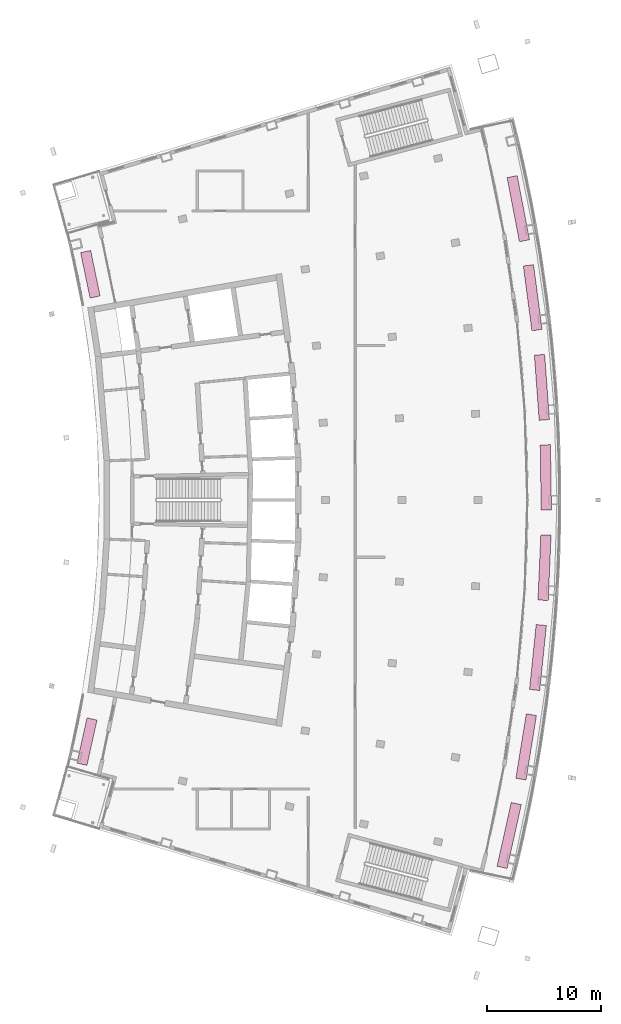
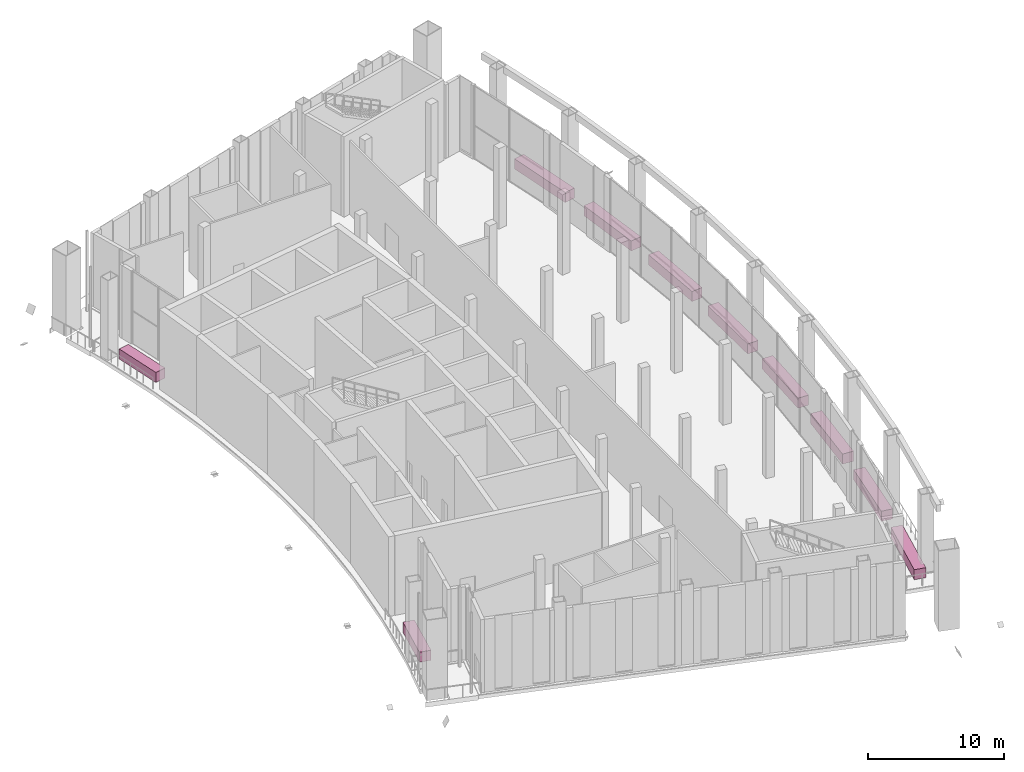
# One storey, part 25 of 25: 10 furnishings.
"""IFC4 building model written with IfcOpenShell, lengths in metres."""

from ifc_helpers import new_model, si_unit, direction, frame, origin, origin_2d, place, context, subcontext, project, spatial, rectangle, extrude, material, type_object, element, save


model = new_model("IFC4")

# Units and contexts
model_context = context("Model", 3, precision=1e-05, world=origin(), true_north=direction((0.0, 1.0)))
body_context = subcontext(model_context, "Body", "Model", "MODEL_VIEW")
ifc_project = project(units=[si_unit("LENGTHUNIT", "METRE"), si_unit("AREAUNIT", "SQUARE_METRE"), si_unit("VOLUMEUNIT", "CUBIC_METRE"), si_unit("PLANEANGLEUNIT", "RADIAN"), si_unit("MASSUNIT", "GRAM", prefix="KILO")], contexts=[model_context])

# Site, building, storey
site_placement = place(None, origin())
site = spatial("IfcSite", under=ifc_project, at=site_placement, CompositionType="ELEMENT")
building_placement = place(site_placement, origin())
building = spatial("IfcBuilding", under=site, at=building_placement, Name="Alderwake Tower", CompositionType="ELEMENT")
storey_placement = place(building_placement, frame((0.0, 0.0, 288.800048828125)))
storey = spatial("IfcBuildingStorey", under=building, at=storey_placement, Name="L72", CompositionType="ELEMENT", Elevation=288.800048828125)

# Furnishings
ifc_material = material(Name="Precast concrete C40/50 planter with soil", Category="concrete")
furnishing_element_type = type_object("IfcFurnishingElementType", Name="Planter box 900", material=ifc_material)
for number, where, z_axis, x_axis, name in (
    (1, (51.848876953125, 31.68896484375, 0.06005859375), (0.0, 0.0, 1.0), (0.97616929119, -0.217010402833, 0.0), "Planter"),
    (2, (53.33349609375, 39.42578125, 0.06005859375), (0.0, 0.0, 1.0), (0.987160809417, -0.15972957256, 0.0), "Planter"),
    (3, (54.364501953125, 47.23583984375, 0.06005859375), (0.0, 0.0, 1.0), (0.994794098387, -0.101905357138, 0.0), "Planter"),
    (4, (54.9384765625, 55.0927734375, 0.06005859375), (0.0, 0.0, 1.0), (0.999043114028, -0.043736212829, 0.0), "Planter"),
    (5, (55.05322265625, 62.9697265625, 0.06005859375), (0.0, 0.0, 1.0), (0.999893655776, 0.014583454252, 0.0), "Planter"),
    (6, (54.708740234375, 70.840087890625, 0.06005859375), (0.0, 0.0, 1.0), (0.99734277946, 0.072851769087, 0.0), "Planter"),
    (7, (53.906005859375, 78.6767578125, 0.06005859375), (0.0, 0.0, 1.0), (0.991399010319, 0.130873994122, 0.0), "Planter"),
    (8, (52.647705078125, 86.45361328125, 0.06005859375), (0.0, 0.0, 1.0), (0.982082922864, 0.188449283945, 0.0), "Planter"),
):
    element("IfcFurnishingElement", number, at=place(storey_placement, frame(where, z_axis=z_axis, x_axis=x_axis)), inside=storey, type_object=furnishing_element_type, Name=name, ObjectType="PLANTER", context=body_context, shape_type="SweptSolid", body=[
        extrude(rectangle(XDim=0.89990234375, YDim=5.710205078125, at=origin_2d()), origin(), (0.0, 0.0, 1.0), 0.89990234375),
    ])
for number, where, z_axis, x_axis, name in (
    (9, (14.95849609375, 39.889892578125, 0.06005859375), (0.0, 0.0, 1.0), (0.97616929119, -0.217010402833, 0.0), "Planter"),
    (10, (15.25634765625, 80.722900390625, 0.06005859375), (0.0, 0.0, 1.0), (0.979230242507, 0.20275140483, 0.0), "Planter"),
):
    element("IfcFurnishingElement", number, at=place(storey_placement, frame(where, z_axis=z_axis, x_axis=x_axis)), inside=storey, type_object=furnishing_element_type, Name=name, ObjectType="PLANTER", context=body_context, shape_type="SweptSolid", body=[
        extrude(rectangle(XDim=0.89990234375, YDim=4.056396484375, at=origin_2d()), origin(), (0.0, 0.0, 1.0), 0.89990234375),
    ])

save(model, "model.ifc")
